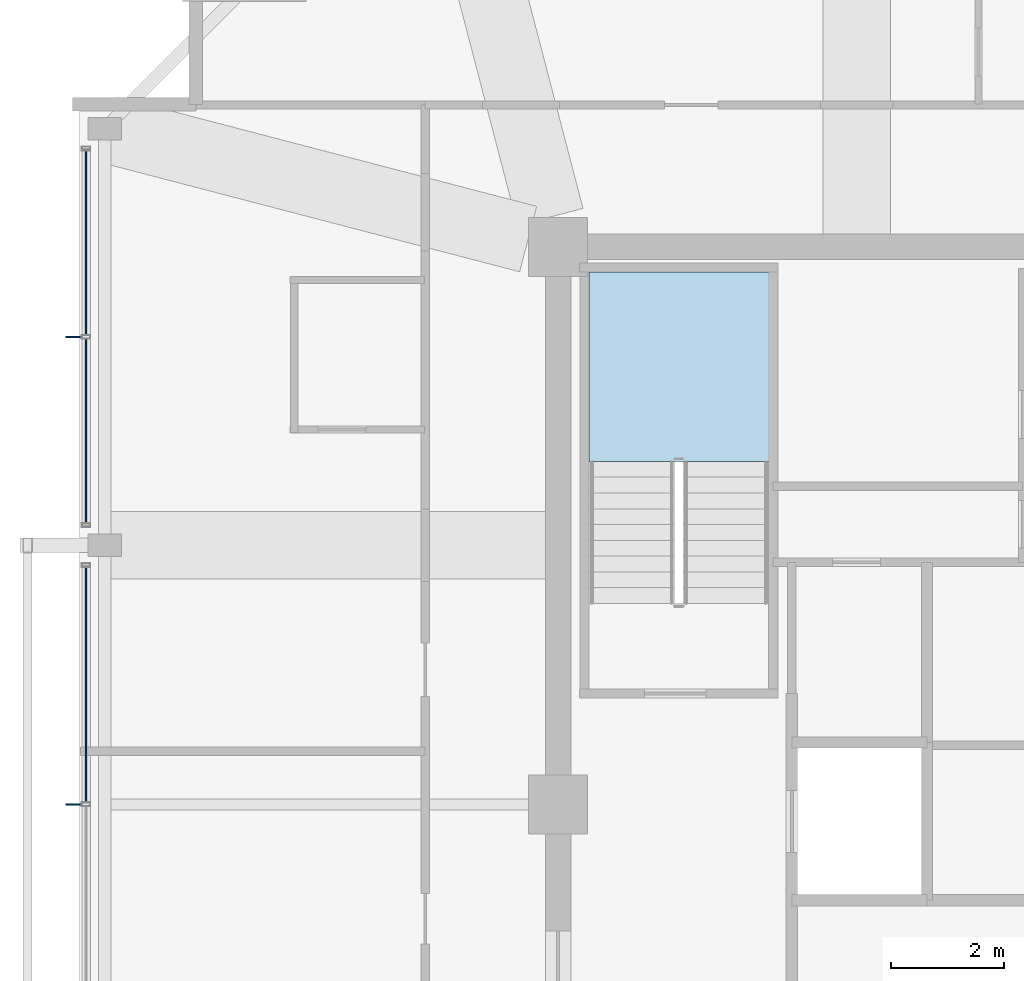
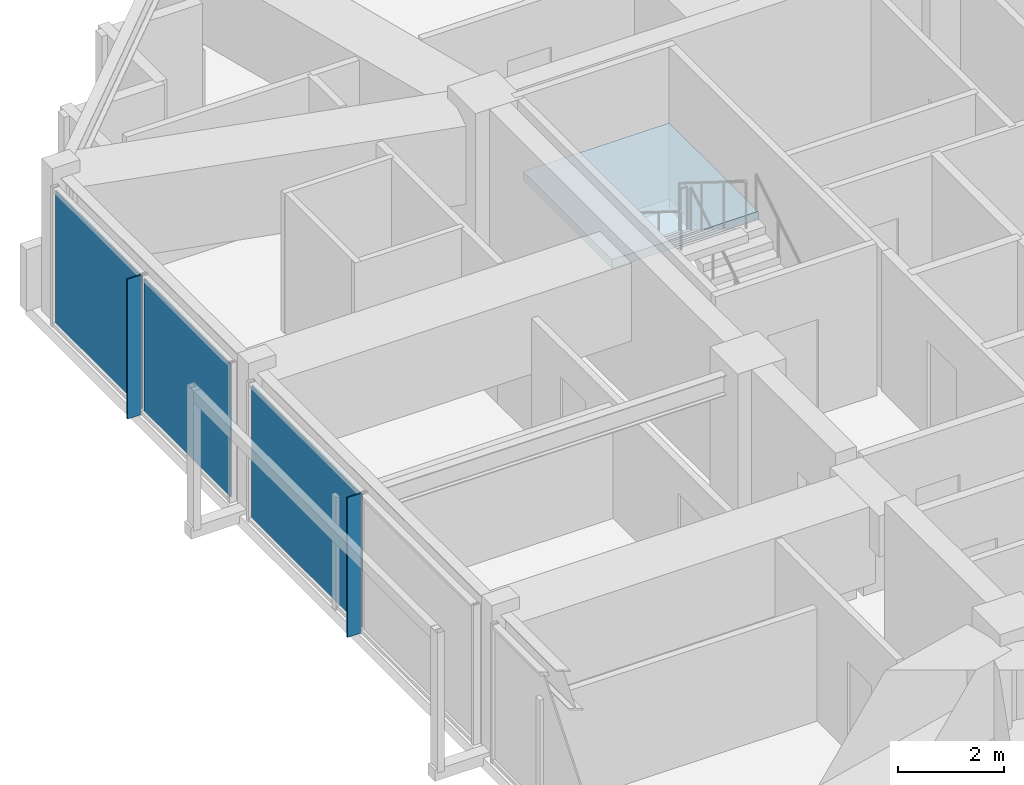
# One storey, part 22 of 30: 5 plates, 1 slab, 3 elements without a shape of their own.
"""IFC4 building model written with IfcOpenShell, lengths in metres."""

from ifc_helpers import new_model, si_unit, direction, frame, origin, origin_2d, place, context, subcontext, project, spatial, polyline, rectangle, outline, extrude, material, layer, layer_set, type_object, element, aggregate, save


model = new_model("IFC4")

# Units and contexts
model_context = context("Model", 3, precision=1e-05, world=origin(), true_north=direction((0.0, 1.0)))
body_context = subcontext(model_context, "Body", "Model", "MODEL_VIEW")
ifc_project = project(units=[si_unit("LENGTHUNIT", "METRE"), si_unit("AREAUNIT", "SQUARE_METRE"), si_unit("VOLUMEUNIT", "CUBIC_METRE"), si_unit("PLANEANGLEUNIT", "RADIAN"), si_unit("MASSUNIT", "GRAM", prefix="KILO")], contexts=[model_context])

# Site, building, storey
site_placement = place(None, origin())
site = spatial("IfcSite", under=ifc_project, at=site_placement, CompositionType="ELEMENT")
building_placement = place(site_placement, origin())
building = spatial("IfcBuilding", under=site, at=building_placement, Name="Kolvaren Belvedere", CompositionType="ELEMENT")
storey_placement = place(building_placement, frame((0.0, 0.0, 254.89990234375)))
storey = spatial("IfcBuildingStorey", under=building, at=storey_placement, Name="L74", CompositionType="ELEMENT", Elevation=254.89990234375)

# Curtain wall, plate
ifc_material_1 = material(Name="Anodised pale-metal aluminium AA 6063-T6", Category="aluminium")
curtain_wall_type = type_object("IfcCurtainWallType", Name="CW-Z5-HIGH", PredefinedType="NOTDEFINED", material=ifc_material_1)
curtain_wall_1_placement = place(storey_placement, origin())
curtain_wall_1 = element("IfcCurtainWall", 1, at=curtain_wall_1_placement, inside=storey, type_object=curtain_wall_type, Name="L74 Unitised Curtain Wall FCW-L74-W-B2", PredefinedType="NOTDEFINED")
ifc_material_2 = material(Name="Low-iron triple insulated glass", Category="glass")
ifc_layer_1 = layer(ifc_material_2, 0.028076171875)
ifc_layer_set_1 = layer_set([ifc_layer_1], Name="Low-iron triple insulated glass")
plate_type_1 = type_object("IfcPlateType", Name="CW-PNL-VIS28", PredefinedType="CURTAIN_PANEL", material=ifc_layer_set_1)
plate_1_placement = place(storey_placement, frame((-18.280029296875, 2.12255859375, 0.080078125), z_axis=(0.0, 0.0, 1.0), x_axis=(0.0, 1.0, 0.0)))
plate_1 = element("IfcPlate", 2, at=plate_1_placement, type_object=plate_type_1, Name="FCW-L74-W-B2 Vision Glazing Panel 2", PredefinedType="CURTAIN_PANEL", context=body_context, shape_type="SweptSolid", body=[
    extrude(rectangle(XDim=4.1650390625, YDim=0.028076171875, at=origin_2d()), origin(), (0.0, 0.0, 1.0), 3.06005859375),
])
aggregate(curtain_wall_1, [plate_1])

# Curtain wall, plates
curtain_wall_2_placement = place(storey_placement, origin())
curtain_wall_2 = element("IfcCurtainWall", 3, at=curtain_wall_2_placement, inside=storey, type_object=curtain_wall_type, Name="L74 Unitised Curtain Wall FCW-L74-W-B3", PredefinedType="NOTDEFINED")
plate_2_placement = place(storey_placement, frame((-18.280029296875, 6.62744140625, 0.080078125), z_axis=(0.0, 0.0, 1.0), x_axis=(0.0, 1.0, 0.0)))
plate_2 = element("IfcPlate", 4, at=plate_2_placement, type_object=plate_type_1, Name="FCW-L74-W-B3 Vision Glazing Panel 1", PredefinedType="CURTAIN_PANEL", context=body_context, shape_type="SweptSolid", body=[
    extrude(rectangle(XDim=3.264892578125, YDim=0.028076171875, at=origin_2d()), origin(), (0.0, 0.0, 1.0), 3.06005859375),
])
plate_3_placement = place(storey_placement, frame((-18.280029296875, 9.972412109375, 0.080078125), z_axis=(0.0, 0.0, 1.0), x_axis=(0.0, 1.0, 0.0)))
plate_3 = element("IfcPlate", 5, at=plate_3_placement, type_object=plate_type_1, Name="FCW-L74-W-B3 Vision Glazing Panel 2", PredefinedType="CURTAIN_PANEL", context=body_context, shape_type="SweptSolid", body=[
    extrude(rectangle(XDim=3.264892578125, YDim=0.028076171875, at=origin_2d()), origin(), (0.0, 0.0, 1.0), 3.06005859375),
])
aggregate(curtain_wall_2, [plate_2, plate_3])

# Plates
ifc_material_3 = material(Name="Anodised pale-metal aluminium AA 6063-T6", Category="aluminium")
ifc_layer_2 = layer(ifc_material_3, 0.030029296875)
ifc_layer_set_2 = layer_set([ifc_layer_2], Name="Anodised pale-metal aluminium AA 6063-T6")
plate_type_2 = type_object("IfcPlateType", Name="FIN-VERT-300", PredefinedType="USERDEFINED", material=ifc_layer_set_2)
for number, where, z_axis, x_axis, name in (
    (6, (-18.489990234375, 0.0, 0.0), (0.0, 0.0, 1.0), (1.0, 0.0, 0.0), "L74 Pale-Metal Vertical Shading Fin FCW-L74-W-B2-1"),
    (7, (-18.489990234375, 8.300048828125, 0.0), (0.0, 0.0, 1.0), (1.0, 0.0, 0.0), "L74 Pale-Metal Vertical Shading Fin FCW-L74-W-B3-1"),
):
    element("IfcPlate", number, at=place(storey_placement, frame(where, z_axis=z_axis, x_axis=x_axis)), inside=storey, type_object=plate_type_2, Name=name, ObjectType="VERTICAL FIN", PredefinedType="USERDEFINED", context=body_context, shape_type="SweptSolid", body=[
        extrude(rectangle(XDim=0.300048828125, YDim=0.030029296875, at=origin_2d()), origin(), (0.0, 0.0, 1.0), 3.219970703125),
    ])

# Stair, slab
ifc_material_4 = material(Name="Concrete C50/60", Category="concrete")
stair_type = type_object("IfcStairType", Name="ST-CORE-1520", PredefinedType="HALF_TURN_STAIR", material=ifc_material_4)
stair_placement = place(storey_placement, origin())
stair = element("IfcStair", 8, at=stair_placement, inside=storey, type_object=stair_type, Name="L74 Protected Exit Stair ST-1", PredefinedType="HALF_TURN_STAIR")
ifc_material_5 = material(Name="Concrete C50/60", Category="concrete")
ifc_layer_3 = layer(ifc_material_5, 0.260009765625)
ifc_layer_set_3 = layer_set([ifc_layer_3], Name="Concrete C50/60")
slab_type = type_object("IfcSlabType", Name="SL-LAND-260", PredefinedType="LANDING", material=ifc_layer_set_3)
slab_placement = place(storey_placement, frame((0.0, 0.0, 1.550048828125)))
slab = element("IfcSlab", 9, at=slab_placement, type_object=slab_type, Name="ST-1 landing 1", PredefinedType="LANDING", context=body_context, shape_type="SweptSolid", body=[
    extrude(outline(polyline([(-6.159912109375, 6.090087890625), (-6.159912109375, 9.449951171875), (-9.35009765625, 9.449951171875), (-9.35009765625, 6.090087890625), (-6.159912109375, 6.090087890625)])), origin(), (0.0, 0.0, 1.0), 0.199951171875),
])
aggregate(stair, [slab])

save(model, "model.ifc")
